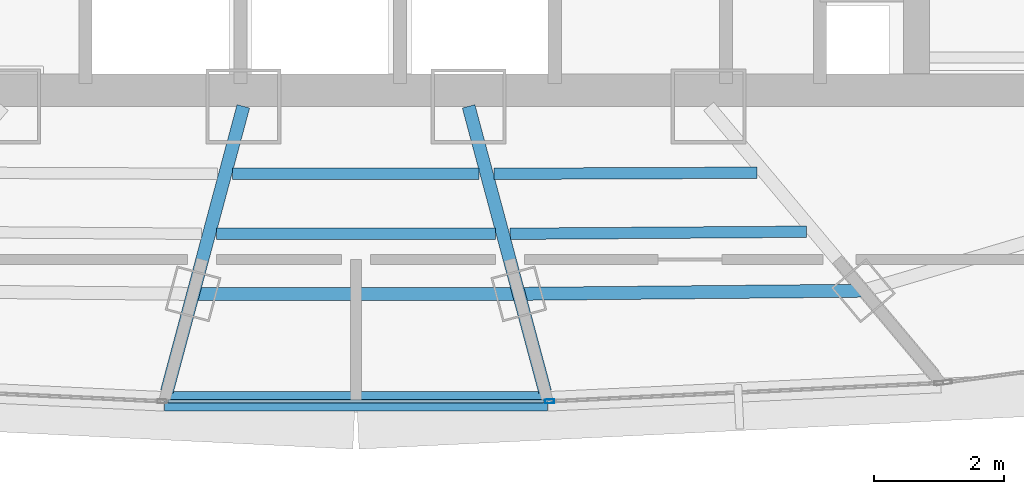
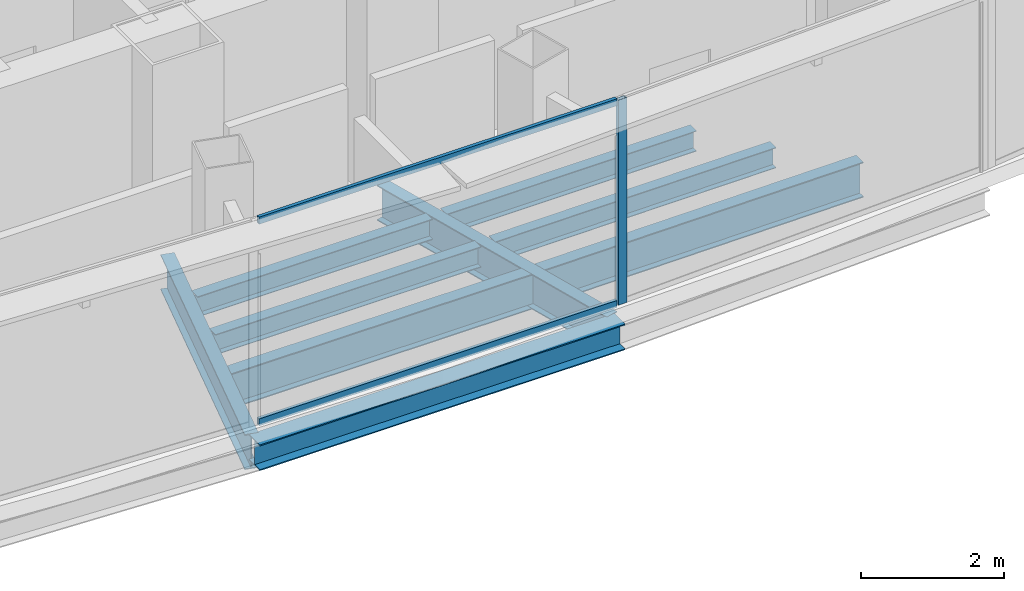
# One storey, part 5 of 29: 9 beams, 3 members, 2 elements without a shape of their own.
"""IFC4 building model written with IfcOpenShell, lengths in metres."""

from ifc_helpers import new_model, si_unit, direction, frame, origin, origin_2d, place, context, subcontext, project, spatial, hollow_rectangle, i_section, extrude, source, transform, mapped, material, layer, layer_set, material_profile, profile_set, type_object, element, aggregate, save


model = new_model("IFC4")

# Units and contexts
model_context = context("Model", 3, precision=1e-05, world=origin(), true_north=direction((0.0, 1.0)))
body_context = subcontext(model_context, "Body", "Model", "MODEL_VIEW")
ifc_project = project(units=[si_unit("LENGTHUNIT", "METRE"), si_unit("AREAUNIT", "SQUARE_METRE"), si_unit("VOLUMEUNIT", "CUBIC_METRE"), si_unit("PLANEANGLEUNIT", "RADIAN"), si_unit("MASSUNIT", "GRAM", prefix="KILO"), si_unit("THERMODYNAMICTEMPERATUREUNIT", "KELVIN"), si_unit("POWERUNIT", "WATT")], contexts=[model_context])

# Site, building, storey
site_placement = place(None, origin())
site = spatial("IfcSite", under=ifc_project, at=site_placement, CompositionType="ELEMENT")
building_placement = place(site_placement, origin())
building = spatial("IfcBuilding", under=site, at=building_placement, Name="Yunzhuo Pagoda Commons", CompositionType="ELEMENT")
storey_placement = place(building_placement, frame((0.0, 0.0, 359.260009765625)))
storey = spatial("IfcBuildingStorey", under=building, at=storey_placement, Name="L90", CompositionType="ELEMENT", Elevation=359.260009765625)

# Beams
ifc_material_1 = material(Name="Structural steel Q355B", Category="steel")
ifc_material_profile_1 = material_profile(ifc_material_1, i_section(OverallWidth=0.199951171875, OverallDepth=0.60009765625, WebThickness=0.010986328125, FlangeThickness=0.01708984375, at=origin_2d()), Name="Structural steel Q355B")
ifc_profile_set_1 = profile_set([ifc_material_profile_1], Name="Structural steel Q355B")
beam_type_1 = type_object("IfcBeamType", Name="B-RG3 Beam HN 600x200x11x17", PredefinedType="BEAM", material=ifc_profile_set_1)
shared_shape_1 = source(origin(), body_context, "Body", "SweptSolid", [
    extrude(i_section(OverallWidth=0.199951171875, OverallDepth=0.60009765625, WebThickness=0.010986328125, FlangeThickness=0.01708984375, at=origin_2d()), origin(), (0.0, 0.0, 1.0), 5.286376953125),
])
beam_1_placement = place(storey_placement, frame((50.499267578125, 24.372802734375, -0.56005859375), z_axis=(0.999957341442, 0.009236627946, 0.0), x_axis=(-0.009236627946, 0.999957341442, 0.0)))
element("IfcBeam", 1, at=beam_1_placement, inside=storey, type_object=beam_type_1, Name="L90 column-ring beam 3", PredefinedType="BEAM", context=body_context, shape_type="MappedRepresentation", body=[
    mapped(shared_shape_1, transform((0.0, 0.0, 0.0), scale=1.0)),
])
shared_shape_2 = source(origin(), body_context, "Body", "SweptSolid", [
    extrude(i_section(OverallWidth=0.199951171875, OverallDepth=0.60009765625, WebThickness=0.010986328125, FlangeThickness=0.01708984375, at=origin_2d()), origin(), (0.0, 0.0, 1.0), 4.99853515625),
])
beam_2_placement = place(storey_placement, frame((45.500732421875, 24.372802734375, -0.56005859375), z_axis=(1.0, 0.0, 0.0), x_axis=(0.0, 1.0, 0.0)))
element("IfcBeam", 2, at=beam_2_placement, inside=storey, type_object=beam_type_1, Name="L90 column-ring beam 2", PredefinedType="BEAM", context=body_context, shape_type="MappedRepresentation", body=[
    mapped(shared_shape_2, transform((0.0, 0.0, 0.0), scale=1.0)),
])
ifc_material_profile_2 = material_profile(ifc_material_1, i_section(OverallWidth=0.175048828125, OverallDepth=0.35009765625, WebThickness=0.007080078125, FlangeThickness=0.010986328125, at=origin_2d()), Name="Structural steel Q355B")
ifc_profile_set_2 = profile_set([ifc_material_profile_2], Name="Structural steel Q355B")
beam_type_2 = type_object("IfcBeamType", Name="B-JS2 Joist HN 350x175x7x11", PredefinedType="JOIST", material=ifc_profile_set_2)
shared_shape_3 = source(origin(), body_context, "Body", "SweptSolid", [
    extrude(i_section(OverallWidth=0.175048828125, OverallDepth=0.35009765625, WebThickness=0.007080078125, FlangeThickness=0.010986328125, at=origin_2d()), origin(), (0.0, 0.0, 1.0), 4.03076171875),
])
beam_3_placement = place(storey_placement, frame((50.120849609375, 26.214599609375, -0.43505859375), z_axis=(0.999991518197, 0.004118680996, 0.0), x_axis=(-0.004118680996, 0.999991518197, 0.0)))
element("IfcBeam", 3, at=beam_3_placement, inside=storey, type_object=beam_type_2, Name="L90 composite ring joist 1.3", PredefinedType="JOIST", context=body_context, shape_type="MappedRepresentation", body=[
    mapped(shared_shape_3, transform((0.0, 0.0, 0.0), scale=1.0)),
])
shared_shape_4 = source(origin(), body_context, "Body", "SweptSolid", [
    extrude(i_section(OverallWidth=0.175048828125, OverallDepth=0.35009765625, WebThickness=0.007080078125, FlangeThickness=0.010986328125, at=origin_2d()), origin(), (0.0, 0.0, 1.0), 4.54345703125),
])
beam_4_placement = place(storey_placement, frame((50.367431640625, 25.29443359375, -0.43505859375), z_axis=(0.999975976237, 0.006931590593, 0.0), x_axis=(-0.006931590593, 0.999975976237, 0.0)))
element("IfcBeam", 4, at=beam_4_placement, inside=storey, type_object=beam_type_2, Name="L90 composite ring joist 2.3", PredefinedType="JOIST", context=body_context, shape_type="MappedRepresentation", body=[
    mapped(shared_shape_4, transform((0.0, 0.0, 0.0), scale=1.0)),
])
shared_shape_5 = source(origin(), body_context, "Body", "SweptSolid", [
    extrude(i_section(OverallWidth=0.175048828125, OverallDepth=0.35009765625, WebThickness=0.007080078125, FlangeThickness=0.010986328125, at=origin_2d()), origin(), (0.0, 0.0, 1.0), 3.78173828125),
])
beam_5_placement = place(storey_placement, frame((46.109130859375, 26.214111328125, -0.43505859375), z_axis=(1.0, 0.0, 0.0), x_axis=(0.0, 1.0, 0.0)))
element("IfcBeam", 5, at=beam_5_placement, inside=storey, type_object=beam_type_2, Name="L90 composite ring joist 1.2", PredefinedType="JOIST", context=body_context, shape_type="MappedRepresentation", body=[
    mapped(shared_shape_5, transform((0.0, 0.0, 0.0), scale=1.0)),
])
shared_shape_6 = source(origin(), body_context, "Body", "SweptSolid", [
    extrude(i_section(OverallWidth=0.175048828125, OverallDepth=0.35009765625, WebThickness=0.007080078125, FlangeThickness=0.010986328125, at=origin_2d()), origin(), (0.0, 0.0, 1.0), 4.27490234375),
])
beam_6_placement = place(storey_placement, frame((45.862548828125, 25.29345703125, -0.43505859375), z_axis=(1.0, 0.0, 0.0), x_axis=(0.0, 1.0, 0.0)))
element("IfcBeam", 6, at=beam_6_placement, inside=storey, type_object=beam_type_2, Name="L90 composite ring joist 2.2", PredefinedType="JOIST", context=body_context, shape_type="MappedRepresentation", body=[
    mapped(shared_shape_6, transform((0.0, 0.0, 0.0), scale=1.0)),
])
shared_shape_7 = source(origin(), body_context, "Body", "SweptSolid", [
    extrude(i_section(OverallWidth=0.199951171875, OverallDepth=0.60009765625, WebThickness=0.010986328125, FlangeThickness=0.01708984375, at=origin_2d()), origin(), (0.0, 0.0, 1.0), 4.531494140625),
])
beam_7_placement = place(storey_placement, frame((45.098876953125, 22.873046875, -0.56005859375), z_axis=(0.25887971202, 0.965909568595, 0.0), x_axis=(-0.965909568595, 0.25887971202, 0.0)))
element("IfcBeam", 7, at=beam_7_placement, inside=storey, type_object=beam_type_1, Name="L90 radial floor girder F1C2", PredefinedType="BEAM", context=body_context, shape_type="MappedRepresentation", body=[
    mapped(shared_shape_7, transform((0.0, 0.0, 0.0), scale=1.0)),
])
shared_shape_8 = source(origin(), body_context, "Body", "SweptSolid", [
    extrude(i_section(OverallWidth=0.199951171875, OverallDepth=0.60009765625, WebThickness=0.010986328125, FlangeThickness=0.01708984375, at=origin_2d()), origin(), (0.0, 0.0, 1.0), 4.53125),
])
beam_8_placement = place(storey_placement, frame((50.901123046875, 22.873046875, -0.56005859375), z_axis=(-0.258779175065, 0.965936508551, 0.0), x_axis=(-0.965936508551, -0.258779175065, 0.0)))
element("IfcBeam", 8, at=beam_8_placement, inside=storey, type_object=beam_type_1, Name="L90 radial floor girder F1C3", PredefinedType="BEAM", context=body_context, shape_type="MappedRepresentation", body=[
    mapped(shared_shape_8, transform((0.0, 0.0, 0.0), scale=1.0)),
])
ifc_material_profile_3 = material_profile(ifc_material_1, i_section(OverallWidth=0.300048828125, OverallDepth=0.43994140625, WebThickness=0.010986328125, FlangeThickness=0.01806640625, at=origin_2d()), Name="Structural steel Q355B")
ifc_profile_set_3 = profile_set([ifc_material_profile_3], Name="Structural steel Q355B")
beam_type_3 = type_object("IfcBeamType", Name="B-SP2 Beam HM 440x300x11x18", PredefinedType="BEAM", material=ifc_profile_set_3)
shared_shape_9 = source(origin(), body_context, "Body", "SweptSolid", [
    extrude(i_section(OverallWidth=0.300048828125, OverallDepth=0.43994140625, WebThickness=0.010986328125, FlangeThickness=0.01806640625, at=origin_2d()), origin(), (0.0, 0.0, 1.0), 5.88232421875),
])
beam_9_placement = place(storey_placement, frame((45.058837890625, 22.723388671875, -0.47998046875), z_axis=(1.0, 0.0, 0.0), x_axis=(0.0, 1.0, 0.0)))
element("IfcBeam", 9, at=beam_9_placement, inside=storey, type_object=beam_type_3, Name="L90 facade edge spandrel beam F1.2", PredefinedType="BEAM", context=body_context, shape_type="MappedRepresentation", body=[
    mapped(shared_shape_9, transform((0.0, 0.0, 0.0), scale=1.0)),
])

# Curtain wall, member
ifc_material_2 = material(Name="Anodized aluminium 6063-T6", Category="aluminium")
ifc_layer = layer(ifc_material_2, 0.139892578125)
ifc_layer_set = layer_set([ifc_layer], Name="Anodized aluminium 6063-T6")
curtain_wall_type = type_object("IfcCurtainWallType", Name="CW-HI High-Zone Ribbon Curtain Wall", PredefinedType="NOTDEFINED", material=ifc_layer_set)
curtain_wall_1_placement = place(storey_placement, origin())
curtain_wall_1 = element("IfcCurtainWall", 10, at=curtain_wall_1_placement, inside=storey, type_object=curtain_wall_type, Name="L90 curtain wall CW-L90-F1B4", PredefinedType="NOTDEFINED")
ifc_material_profile_4 = material_profile(ifc_material_2, hollow_rectangle(XDim=0.06005859375, YDim=0.139892578125, WallThickness=0.00341796875, at=origin_2d()), Name="Anodized aluminium 6063-T6")
ifc_profile_set_4 = profile_set([ifc_material_profile_4], Name="Anodized aluminium 6063-T6")
member_type_1 = type_object("IfcMemberType", Name="CW-HI-M Mullion RHS 140x60x3.5", PredefinedType="MULLION", material=ifc_profile_set_4)
shared_shape_10 = source(origin(), body_context, "Body", "SweptSolid", [
    extrude(hollow_rectangle(XDim=0.06005859375, YDim=0.139892578125, WallThickness=0.00341796875, at=origin_2d()), origin(), (0.0, 0.0, 1.0), 3.489990234375),
])
member_1_placement = place(storey_placement, frame((50.97119140625, 22.724609375, 0.0), z_axis=(0.0, 0.0, 1.0), x_axis=(-0.046711544825, 0.998908420017, 0.0)))
member_1 = element("IfcMember", 11, at=member_1_placement, type_object=member_type_1, Name="CW mullion 1", PredefinedType="MULLION", context=body_context, shape_type="MappedRepresentation", body=[
    mapped(shared_shape_10, transform((0.0, 0.0, 0.0), scale=1.0)),
])
aggregate(curtain_wall_1, [member_1])

# Curtain wall, members
curtain_wall_2_placement = place(storey_placement, origin())
curtain_wall_2 = element("IfcCurtainWall", 12, at=curtain_wall_2_placement, inside=storey, type_object=curtain_wall_type, Name="L90 curtain wall CW-L90-F1B3", PredefinedType="NOTDEFINED")
ifc_material_profile_5 = material_profile(ifc_material_2, hollow_rectangle(XDim=0.054931640625, YDim=0.1201171875, WallThickness=0.00341796875, at=origin_2d()), Name="Anodized aluminium 6063-T6")
ifc_profile_set_5 = profile_set([ifc_material_profile_5], Name="Anodized aluminium 6063-T6")
member_type_2 = type_object("IfcMemberType", Name="CW-HI-T Transom RHS 120x55x3.5", PredefinedType="USERDEFINED", material=ifc_profile_set_5)
shared_shape_11 = source(origin(), body_context, "Body", "SweptSolid", [
    extrude(hollow_rectangle(XDim=0.054931640625, YDim=0.1201171875, WallThickness=0.00341796875, at=origin_2d()), origin(), (0.0, 0.0, 1.0), 5.76220703125),
])
member_2_placement = place(storey_placement, frame((45.119140625, 22.723388671875, 0.027587890625), z_axis=(1.0, 0.0, 0.0), x_axis=(0.0, 1.0, 0.0)))
member_2 = element("IfcMember", 13, at=member_2_placement, type_object=member_type_2, Name="CW transom 1.1", ObjectType="TRANSOM", PredefinedType="USERDEFINED", context=body_context, shape_type="MappedRepresentation", body=[
    mapped(shared_shape_11, transform((0.0, 0.0, 0.0), scale=1.0)),
])
member_3_placement = place(storey_placement, frame((45.119140625, 22.723388671875, 3.46240234375), z_axis=(1.0, 0.0, 0.0), x_axis=(0.0, 1.0, 0.0)))
member_3 = element("IfcMember", 14, at=member_3_placement, type_object=member_type_2, Name="CW transom 1.2", ObjectType="TRANSOM", PredefinedType="USERDEFINED", context=body_context, shape_type="MappedRepresentation", body=[
    mapped(shared_shape_11, transform((0.0, 0.0, 0.0), scale=1.0)),
])
aggregate(curtain_wall_2, [member_2, member_3])

save(model, "model.ifc")
